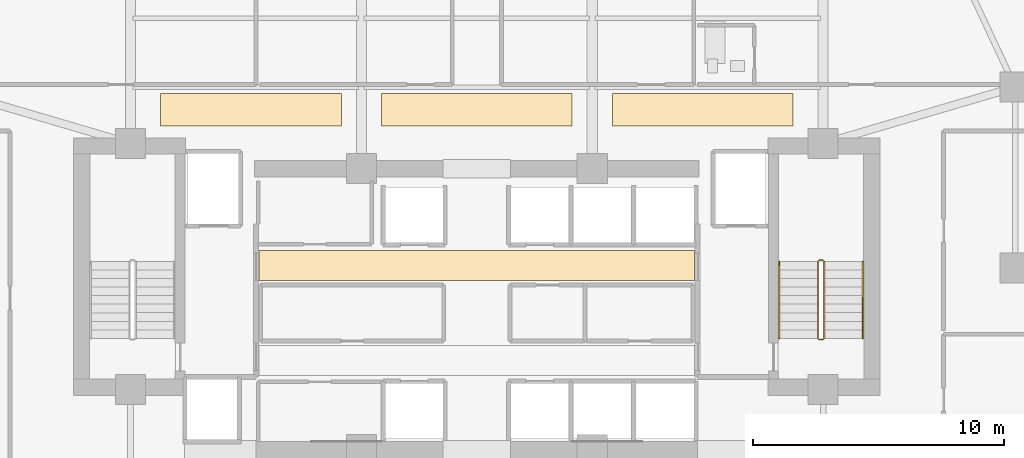
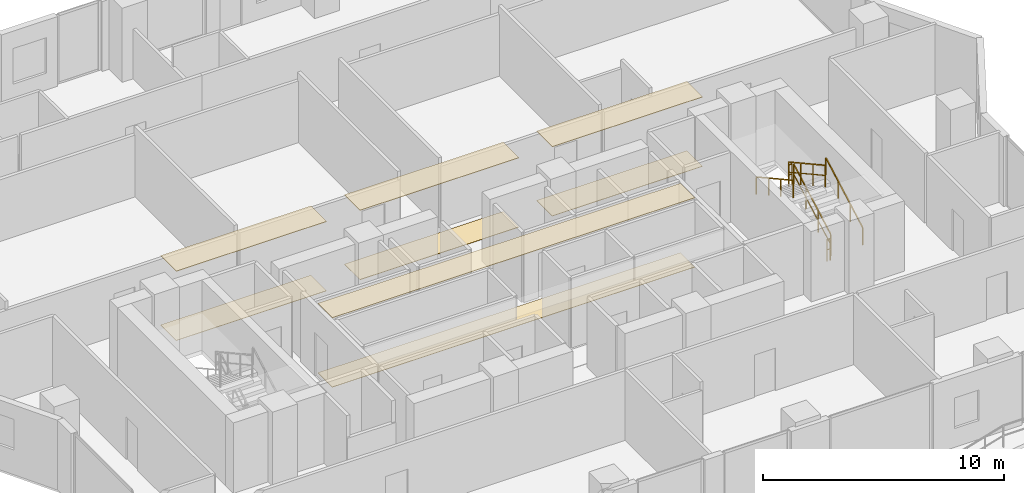
# One storey, part 31 of 33: 8 coverings, 6 railings.
"""IFC4 building model written with IfcOpenShell, lengths in metres."""

from ifc_helpers import new_model, si_unit, direction, frame, origin, origin_2d, place, context, subcontext, project, spatial, polyline, rectangle, outline, extrude, material, layer, layer_set, type_object, element, save


model = new_model("IFC4")

# Units and contexts
model_context = context("Model", 3, precision=1e-05, world=origin(), true_north=direction((0.0, 1.0)))
body_context = subcontext(model_context, "Body", "Model", "MODEL_VIEW")
ifc_project = project(units=[si_unit("LENGTHUNIT", "METRE"), si_unit("AREAUNIT", "SQUARE_METRE"), si_unit("VOLUMEUNIT", "CUBIC_METRE"), si_unit("PLANEANGLEUNIT", "RADIAN"), si_unit("MASSUNIT", "GRAM", prefix="KILO")], contexts=[model_context])

# Site, building, storey
site_placement = place(None, origin())
site = spatial("IfcSite", under=ifc_project, at=site_placement, CompositionType="ELEMENT")
building_placement = place(site_placement, origin())
building = spatial("IfcBuilding", under=site, at=building_placement, Name="Zuhayl Quay Hotel", CompositionType="ELEMENT")
storey_placement = place(building_placement, frame((0.0, 0.0, 214.89990234375)))
storey = spatial("IfcBuildingStorey", under=building, at=storey_placement, Name="L54", CompositionType="ELEMENT", Elevation=214.89990234375)

# Coverings
ifc_material_1 = material(Name="Acoustic Mineral-Fibre Gypsum Board")
ifc_layer_1 = layer(ifc_material_1, 0.02490234375, Name="Acoustic Mineral-Fibre Gypsum Board")
ifc_layer_set_1 = layer_set([ifc_layer_1], Name="Acoustic Mineral-Fibre Gypsum Board")
covering_type_1 = type_object("IfcCoveringType", Name="CV_CEIL_ACOUSTIC", PredefinedType="CEILING", material=ifc_layer_set_1)
covering_1_placement = place(storey_placement, frame((0.0, 0.0, 3.505126953125)))
element("IfcCovering", 1, at=covering_1_placement, inside=storey, type_object=covering_type_1, Name="L54 Suspended Acoustic Lobby Ceiling N", PredefinedType="CEILING", context=body_context, shape_type="SweptSolid", body=[
    extrude(outline(polyline([(-8.679931640625, 8.89990234375), (8.679931640625, 8.89990234375), (8.679931640625, 10.10009765625), (-8.679931640625, 10.10009765625), (-8.679931640625, 8.89990234375)])), origin(), (0.0, 0.0, 1.0), 0.02490234375),
])
covering_2_placement = place(storey_placement, frame((0.0, 0.0, 3.505126953125)))
element("IfcCovering", 2, at=covering_2_placement, inside=storey, type_object=covering_type_1, Name="L54 Guest Corridor Acoustic Ceiling CW", PredefinedType="CEILING", context=body_context, shape_type="SweptSolid", body=[
    extrude(outline(polyline([(-12.60009765625, 15.050048828125), (-5.39990234375, 15.050048828125), (-5.39990234375, 16.35009765625), (-12.60009765625, 16.35009765625), (-12.60009765625, 15.050048828125)])), origin(), (0.0, 0.0, 1.0), 0.02490234375),
])
covering_3_placement = place(storey_placement, frame((0.0, 0.0, 3.505126953125)))
element("IfcCovering", 3, at=covering_3_placement, inside=storey, type_object=covering_type_1, Name="L54 Guest Corridor Acoustic Ceiling CC", PredefinedType="CEILING", context=body_context, shape_type="SweptSolid", body=[
    extrude(outline(polyline([(-3.800048828125, 15.050048828125), (3.800048828125, 15.050048828125), (3.800048828125, 16.35009765625), (-3.800048828125, 16.35009765625), (-3.800048828125, 15.050048828125)])), origin(), (0.0, 0.0, 1.0), 0.02490234375),
])
covering_4_placement = place(storey_placement, frame((0.0, 0.0, 3.505126953125)))
element("IfcCovering", 4, at=covering_4_placement, inside=storey, type_object=covering_type_1, Name="L54 Guest Corridor Acoustic Ceiling CE", PredefinedType="CEILING", context=body_context, shape_type="SweptSolid", body=[
    extrude(outline(polyline([(5.39990234375, 15.050048828125), (12.60009765625, 15.050048828125), (12.60009765625, 16.35009765625), (5.39990234375, 16.35009765625), (5.39990234375, 15.050048828125)])), origin(), (0.0, 0.0, 1.0), 0.02490234375),
])
ifc_material_2 = material(Name="Polished Limestone Terrazzo", Category="masonry")
ifc_layer_2 = layer(ifc_material_2, 0.02001953125, Name="Polished Limestone Terrazzo", Category="masonry")
ifc_layer_set_2 = layer_set([ifc_layer_2], Name="Polished Limestone Terrazzo")
covering_type_2 = type_object("IfcCoveringType", Name="CV_FLOOR_TERRAZZO", PredefinedType="FLOORING", material=ifc_layer_set_2)
covering_5_placement = place(storey_placement, origin())
element("IfcCovering", 5, at=covering_5_placement, inside=storey, type_object=covering_type_2, Name="L54 Honed Limestone Terrazzo Lobby Flooring N", PredefinedType="FLOORING", context=body_context, shape_type="SweptSolid", body=[
    extrude(outline(polyline([(-8.679931640625, 8.89990234375), (8.679931640625, 8.89990234375), (8.679931640625, 10.10009765625), (-8.679931640625, 10.10009765625), (-8.679931640625, 8.89990234375)])), origin(), (0.0, 0.0, 1.0), 0.02001953125),
])
covering_6_placement = place(storey_placement, origin())
element("IfcCovering", 6, at=covering_6_placement, inside=storey, type_object=covering_type_2, Name="L54 Guest Corridor Terrazzo Runner CW", PredefinedType="FLOORING", context=body_context, shape_type="SweptSolid", body=[
    extrude(outline(polyline([(-12.60009765625, 15.050048828125), (-5.39990234375, 15.050048828125), (-5.39990234375, 16.35009765625), (-12.60009765625, 16.35009765625), (-12.60009765625, 15.050048828125)])), origin(), (0.0, 0.0, 1.0), 0.02001953125),
])
covering_7_placement = place(storey_placement, origin())
element("IfcCovering", 7, at=covering_7_placement, inside=storey, type_object=covering_type_2, Name="L54 Guest Corridor Terrazzo Runner CC", PredefinedType="FLOORING", context=body_context, shape_type="SweptSolid", body=[
    extrude(outline(polyline([(-3.800048828125, 15.050048828125), (3.800048828125, 15.050048828125), (3.800048828125, 16.35009765625), (-3.800048828125, 16.35009765625), (-3.800048828125, 15.050048828125)])), origin(), (0.0, 0.0, 1.0), 0.02001953125),
])
covering_8_placement = place(storey_placement, origin())
element("IfcCovering", 8, at=covering_8_placement, inside=storey, type_object=covering_type_2, Name="L54 Guest Corridor Terrazzo Runner CE", PredefinedType="FLOORING", context=body_context, shape_type="SweptSolid", body=[
    extrude(outline(polyline([(5.39990234375, 15.050048828125), (12.60009765625, 15.050048828125), (12.60009765625, 16.35009765625), (5.39990234375, 16.35009765625), (5.39990234375, 15.050048828125)])), origin(), (0.0, 0.0, 1.0), 0.02001953125),
])

# Railings
ifc_material_3 = material(Name="Steel ASTM A992 Grade 50", Category="steel")
railing_type_1 = type_object("IfcRailingType", Name="RL_GUARD_1100", PredefinedType="GUARDRAIL", material=ifc_material_3)
railing_1_placement = place(storey_placement, frame((13.840087890625, 6.590087890625, 0.1875)))
element("IfcRailing", 9, at=railing_1_placement, inside=storey, type_object=railing_type_1, Name="L54 ST2 stair guard 1", PredefinedType="GUARDRAIL", context=body_context, shape_type="SweptSolid", body=[
    extrude(rectangle(XDim=0.048095703125, YDim=0.048095703125, at=origin_2d()), frame((0.0, 0.0, 1.09619140625), z_axis=(0.0, 0.875659195171, 0.482929574485), x_axis=(-1.0, 0.0, 0.0)), (0.0, 0.0, 1.0), 3.494384765625),
    extrude(rectangle(XDim=0.0361328125, YDim=0.0361328125, at=origin_2d()), frame((0.0, 0.0, 0.58251953125), z_axis=(0.0, 0.875659195171, 0.482929574485), x_axis=(-1.0, 0.0, 0.0)), (0.0, 0.0, 1.0), 3.494384765625),
    extrude(rectangle(XDim=0.0419921875, YDim=0.0419921875, at=origin_2d()), origin(), (0.0, 0.0, 1.0), 1.072021484375),
    extrude(rectangle(XDim=0.0419921875, YDim=0.0419921875, at=origin_2d()), frame((0.0, 1.02001953125, 0.5625)), (0.0, 0.0, 1.0), 1.072021484375),
    extrude(rectangle(XDim=0.0419921875, YDim=0.0419921875, at=origin_2d()), frame((0.0, 2.039794921875, 1.125)), (0.0, 0.0, 1.0), 1.072021484375),
    extrude(rectangle(XDim=0.0419921875, YDim=0.0419921875, at=origin_2d()), frame((0.0, 3.059814453125, 1.6875)), (0.0, 0.0, 1.0), 1.072021484375),
])
railing_2_placement = place(storey_placement, frame((13.7900390625, 9.699951171875, 1.875)))
element("IfcRailing", 10, at=railing_2_placement, inside=storey, type_object=railing_type_1, Name="L54 ST2 stair guard 2", PredefinedType="GUARDRAIL", context=body_context, shape_type="SweptSolid", body=[
    extrude(rectangle(XDim=0.048095703125, YDim=0.048095703125, at=origin_2d()), frame((0.0, 0.0, 1.09619140625), z_axis=(-1.0, 0.0, 0.0), x_axis=(0.0, -1.0, 0.0)), (0.0, 0.0, 1.0), 0.150146484375),
    extrude(rectangle(XDim=0.0361328125, YDim=0.0361328125, at=origin_2d()), frame((0.0, 0.0, 0.58251953125), z_axis=(-1.0, 0.0, 0.0), x_axis=(0.0, -1.0, 0.0)), (0.0, 0.0, 1.0), 0.150146484375),
    extrude(rectangle(XDim=0.0419921875, YDim=0.0419921875, at=origin_2d()), origin(), (0.0, 0.0, 1.0), 1.072021484375),
    extrude(rectangle(XDim=0.0419921875, YDim=0.0419921875, at=origin_2d()), frame((-0.150146484375, 0.0, 0.0)), (0.0, 0.0, 1.0), 1.072021484375),
])
railing_3_placement = place(storey_placement, frame((13.590087890625, 9.64990234375, 2.0625)))
element("IfcRailing", 11, at=railing_3_placement, inside=storey, type_object=railing_type_1, Name="L54 ST2 stair guard 3", PredefinedType="GUARDRAIL", context=body_context, shape_type="SweptSolid", body=[
    extrude(rectangle(XDim=0.048095703125, YDim=0.048095703125, at=origin_2d()), frame((0.0, 0.0, 1.09619140625), z_axis=(0.0, -0.875659195171, 0.482929574485), x_axis=(1.0, 0.0, 0.0)), (0.0, 0.0, 1.0), 3.494384765625),
    extrude(rectangle(XDim=0.0361328125, YDim=0.0361328125, at=origin_2d()), frame((0.0, 0.0, 0.58251953125), z_axis=(0.0, -0.875659195171, 0.482929574485), x_axis=(1.0, 0.0, 0.0)), (0.0, 0.0, 1.0), 3.494384765625),
    extrude(rectangle(XDim=0.0419921875, YDim=0.0419921875, at=origin_2d()), origin(), (0.0, 0.0, 1.0), 1.072021484375),
    extrude(rectangle(XDim=0.0419921875, YDim=0.0419921875, at=origin_2d()), frame((0.0, -1.02001953125, 0.5625)), (0.0, 0.0, 1.0), 1.072021484375),
    extrude(rectangle(XDim=0.0419921875, YDim=0.0419921875, at=origin_2d()), frame((0.0, -2.039794921875, 1.125)), (0.0, 0.0, 1.0), 1.072021484375),
    extrude(rectangle(XDim=0.0419921875, YDim=0.0419921875, at=origin_2d()), frame((0.0, -3.059814453125, 1.6875)), (0.0, 0.0, 1.0), 1.072021484375),
])
railing_4_placement = place(storey_placement, frame((13.7900390625, 6.5400390625, 0.0)))
element("IfcRailing", 12, at=railing_4_placement, inside=storey, type_object=railing_type_1, Name="L54 ST2 stair guard 4", PredefinedType="GUARDRAIL", context=body_context, shape_type="SweptSolid", body=[
    extrude(rectangle(XDim=0.048095703125, YDim=0.048095703125, at=origin_2d()), frame((0.0, 0.0, 1.09619140625), z_axis=(-1.0, 0.0, 0.0), x_axis=(0.0, -1.0, 0.0)), (0.0, 0.0, 1.0), 0.150146484375),
    extrude(rectangle(XDim=0.0361328125, YDim=0.0361328125, at=origin_2d()), frame((0.0, 0.0, 0.58251953125), z_axis=(-1.0, 0.0, 0.0), x_axis=(0.0, -1.0, 0.0)), (0.0, 0.0, 1.0), 0.150146484375),
    extrude(rectangle(XDim=0.0419921875, YDim=0.0419921875, at=origin_2d()), origin(), (0.0, 0.0, 1.0), 1.072021484375),
    extrude(rectangle(XDim=0.0419921875, YDim=0.0419921875, at=origin_2d()), frame((-0.150146484375, 0.0, 0.0)), (0.0, 0.0, 1.0), 1.072021484375),
])
railing_type_2 = type_object("IfcRailingType", Name="RL_HANDRAIL_920", PredefinedType="HANDRAIL", material=ifc_material_3)
railing_5_placement = place(storey_placement, frame((15.3798828125, 6.590087890625, 0.1875)))
element("IfcRailing", 13, at=railing_5_placement, inside=storey, type_object=railing_type_2, Name="L54 ST2 stair handrail 1", PredefinedType="HANDRAIL", context=body_context, shape_type="SweptSolid", body=[
    extrude(rectangle(XDim=0.048095703125, YDim=0.048095703125, at=origin_2d()), frame((0.0, 0.0, 0.8759765625), z_axis=(0.0, 0.875659195171, 0.482929574485), x_axis=(-1.0, 0.0, 0.0)), (0.0, 0.0, 1.0), 3.494384765625),
    extrude(rectangle(XDim=0.0419921875, YDim=0.0419921875, at=origin_2d()), origin(), (0.0, 0.0, 1.0), 0.851806640625),
    extrude(rectangle(XDim=0.0419921875, YDim=0.0419921875, at=origin_2d()), frame((0.0, 1.02001953125, 0.5625)), (0.0, 0.0, 1.0), 0.851806640625),
    extrude(rectangle(XDim=0.0419921875, YDim=0.0419921875, at=origin_2d()), frame((0.0, 2.039794921875, 1.125)), (0.0, 0.0, 1.0), 0.851806640625),
    extrude(rectangle(XDim=0.0419921875, YDim=0.0419921875, at=origin_2d()), frame((0.0, 3.059814453125, 1.6875)), (0.0, 0.0, 1.0), 0.851806640625),
])
railing_6_placement = place(storey_placement, frame((12.050048828125, 9.64990234375, 2.0625)))
element("IfcRailing", 14, at=railing_6_placement, inside=storey, type_object=railing_type_2, Name="L54 ST2 stair handrail 2", PredefinedType="HANDRAIL", context=body_context, shape_type="SweptSolid", body=[
    extrude(rectangle(XDim=0.048095703125, YDim=0.048095703125, at=origin_2d()), frame((0.0, 0.0, 0.8759765625), z_axis=(0.0, -0.875659195171, 0.482929574485), x_axis=(1.0, 0.0, 0.0)), (0.0, 0.0, 1.0), 3.494384765625),
    extrude(rectangle(XDim=0.0419921875, YDim=0.0419921875, at=origin_2d()), origin(), (0.0, 0.0, 1.0), 0.851806640625),
    extrude(rectangle(XDim=0.0419921875, YDim=0.0419921875, at=origin_2d()), frame((0.0, -1.02001953125, 0.5625)), (0.0, 0.0, 1.0), 0.851806640625),
    extrude(rectangle(XDim=0.0419921875, YDim=0.0419921875, at=origin_2d()), frame((0.0, -2.039794921875, 1.125)), (0.0, 0.0, 1.0), 0.851806640625),
    extrude(rectangle(XDim=0.0419921875, YDim=0.0419921875, at=origin_2d()), frame((0.0, -3.059814453125, 1.6875)), (0.0, 0.0, 1.0), 0.851806640625),
])

save(model, "model.ifc")
